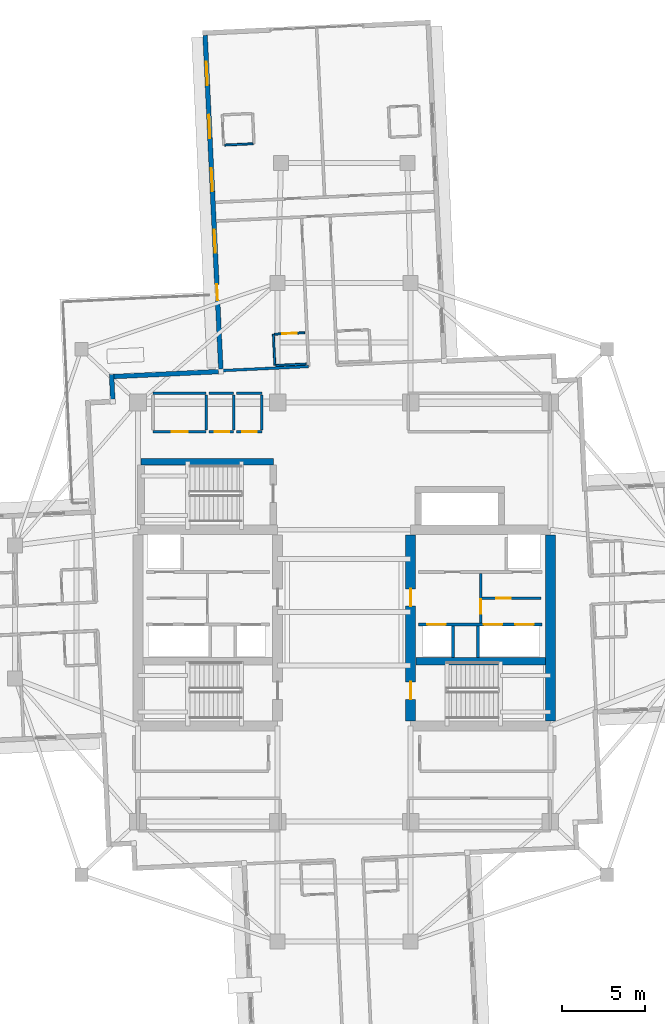
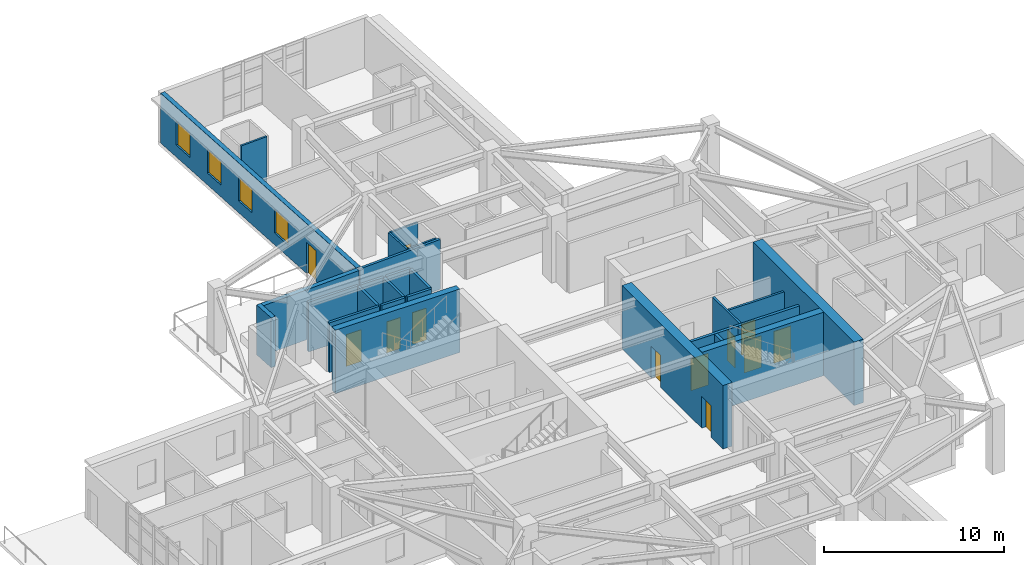
# One storey, part 14 of 22: 26 walls, 12 doors, 4 windows, 16 openings.
"""IFC4 building model written with IfcOpenShell, lengths in metres."""

from ifc_helpers import new_model, si_unit, direction, frame, frame_2d, origin, place, context, subcontext, project, spatial, rectangle, extrude, material, layer, layer_set, type_object, element, fill, save


model = new_model("IFC4")

# Units and contexts
model_context = context("Model", 3, precision=1e-05, world=origin(), true_north=direction((0.0, 1.0)))
body_context = subcontext(model_context, "Body", "Model", "MODEL_VIEW")
ifc_project = project(units=[si_unit("LENGTHUNIT", "METRE"), si_unit("AREAUNIT", "SQUARE_METRE"), si_unit("VOLUMEUNIT", "CUBIC_METRE"), si_unit("PLANEANGLEUNIT", "RADIAN"), si_unit("MASSUNIT", "GRAM", prefix="KILO")], contexts=[model_context])

# Site, building, storey
site_placement = place(None, origin())
site = spatial("IfcSite", under=ifc_project, at=site_placement, CompositionType="ELEMENT")
building_placement = place(site_placement, origin())
building = spatial("IfcBuilding", under=site, at=building_placement, Name="Qingluan Cross Belvedere", CompositionType="ELEMENT")
storey_placement = place(building_placement, frame((0.0, 0.0, 196.800048828125)))
storey = spatial("IfcBuildingStorey", under=building, at=storey_placement, Name="L49", CompositionType="ELEMENT", Elevation=196.800048828125)

# Walls
ifc_material_1 = material(Name="Concrete C50", Category="concrete")
ifc_layer_1 = layer(ifc_material_1, 0.449951171875, Name="CoreShearWall_450")
ifc_layer_set_1 = layer_set([ifc_layer_1], Name="Concrete C50")
wall_type_1 = type_object("IfcWallType", Name="CoreShearWall_450", PredefinedType="SHEAR", material=ifc_layer_set_1)
wall_1_placement = place(storey_placement, frame((4.304931640625, -2.9599609375, 0.0), z_axis=(0.0, 0.0, 1.0), x_axis=(1.0, 0.0, 0.0)))
element("IfcWall", 1, at=wall_1_placement, inside=storey, type_object=wall_type_1, Name="Split core E shear wall L49-M", PredefinedType="SHEAR", context=body_context, shape_type="SweptSolid", body=[
    extrude(rectangle(XDim=7.7900390625, YDim=0.449951171875, at=frame_2d((3.89501953125, 0.0))), origin(), (0.0, 0.0, 1.0), 4.300048828125),
])
wall_2_placement = place(storey_placement, frame((-12.219970703125, 9.0400390625, 0.0), z_axis=(0.0, 0.0, 1.0), x_axis=(1.0, 0.0, 0.0)))
element("IfcWall", 2, at=wall_2_placement, inside=storey, type_object=wall_type_1, Name="Stair ST3 structural wall N L49", PredefinedType="SHEAR", context=body_context, shape_type="SweptSolid", body=[
    extrude(rectangle(XDim=7.9599609375, YDim=0.39990234375, at=frame_2d((3.97998046875, 0.0))), origin(), (0.0, 0.0, 1.0), 4.300048828125),
])

# Wall, openings, doors
ifc_material_2 = material(Name="Concrete C60", Category="concrete")
ifc_layer_2 = layer(ifc_material_2, 0.60009765625, Name="CoreShearWall_600")
ifc_layer_set_2 = layer_set([ifc_layer_2], Name="Concrete C60")
wall_type_2 = type_object("IfcWallType", Name="CoreShearWall_600", PredefinedType="SHEAR", material=ifc_layer_set_2)
wall_3_placement = place(storey_placement, frame((4.0, -6.544921875, 0.0), z_axis=(0.0, 0.0, 1.0), x_axis=(0.0, 1.0, 0.0)))
wall_3 = element("IfcWall", 3, at=wall_3_placement, inside=storey, type_object=wall_type_2, Name="Split core E shear wall L49-W", PredefinedType="SHEAR", context=body_context, shape_type="SweptSolid", body=[
    extrude(rectangle(XDim=11.18994140625, YDim=0.60009765625, at=frame_2d((5.594970703125, 0.0))), origin(), (0.0, 0.0, 1.0), 4.300048828125),
])
opening_1_placement = place(wall_3_placement, frame((1.294921875, 0.0, 0.0)))
opening_1 = element("IfcOpeningElement", 4, at=opening_1_placement, cuts=wall_3, Name="Opening FD-B11", PredefinedType="OPENING", context=body_context, shape_type="SweptSolid", body=[
    extrude(rectangle(XDim=1.050048828125, YDim=2.14990234375, at=frame_2d((0.52490234375, 1.074951171875))), frame((0.0, 0.31005859375, 0.0), z_axis=(0.0, -1.0, 0.0), x_axis=(1.0, 0.0, 0.0)), (0.0, 0.0, 1.0), 0.6201171875),
])
opening_2_placement = place(wall_3_placement, frame((6.89501953125, 0.0, 0.0)))
opening_2 = element("IfcOpeningElement", 5, at=opening_2_placement, cuts=wall_3, Name="Opening FD-B11", PredefinedType="OPENING", context=body_context, shape_type="SweptSolid", body=[
    extrude(rectangle(XDim=1.050048828125, YDim=2.14990234375, at=frame_2d((0.52490234375, 1.074951171875))), frame((0.0, 0.31005859375, 0.0), z_axis=(0.0, -1.0, 0.0), x_axis=(1.0, 0.0, 0.0)), (0.0, 0.0, 1.0), 0.6201171875),
])
ifc_material_3 = material(Name="Steel Class B smoke-seal fire door", Category="steel")
door_type_1 = type_object("IfcDoorType", Name="StairLobbyFireDoor_FDB", OperationType="NOTDEFINED", PredefinedType="DOOR", material=ifc_material_3)
door_1_placement = place(opening_1_placement, origin())
door_1 = element("IfcDoor", 6, at=door_1_placement, inside=storey, type_object=door_type_1, Name="Smoke-proof stair ST2 fire door L49", OperationType="SINGLE_SWING_RIGHT", OverallHeight=2.14990234375, OverallWidth=1.050048828125, PredefinedType="DOOR", context=body_context, shape_type="SweptSolid", body=[
    extrude(rectangle(XDim=1.050048828125, YDim=2.14990234375, at=frame_2d((0.52490234375, 1.074951171875))), frame((0.0, 0.02490234375, 0.0), z_axis=(0.0, -1.0, 0.0), x_axis=(1.0, 0.0, 0.0)), (0.0, 0.0, 1.0), 0.050048828125),
])
fill(opening_1, door_1)
door_2_placement = place(opening_2_placement, origin())
door_2 = element("IfcDoor", 7, at=door_2_placement, inside=storey, type_object=door_type_1, Name="Firefighting lobby East fire door L49", OperationType="SINGLE_SWING_RIGHT", OverallHeight=2.14990234375, OverallWidth=1.050048828125, PredefinedType="DOOR", context=body_context, shape_type="SweptSolid", body=[
    extrude(rectangle(XDim=1.050048828125, YDim=2.14990234375, at=frame_2d((0.52490234375, 1.074951171875))), frame((0.0, 0.02490234375, 0.0), z_axis=(0.0, -1.0, 0.0), x_axis=(1.0, 0.0, 0.0)), (0.0, 0.0, 1.0), 0.050048828125),
])
fill(opening_2, door_2)

# Wall
wall_4_placement = place(storey_placement, frame((12.39990234375, -6.544921875, 0.0), z_axis=(0.0, 0.0, 1.0), x_axis=(0.0, 1.0, 0.0)))
element("IfcWall", 8, at=wall_4_placement, inside=storey, type_object=wall_type_2, Name="Split core E shear wall L49-E", PredefinedType="SHEAR", context=body_context, shape_type="SweptSolid", body=[
    extrude(rectangle(XDim=11.18994140625, YDim=0.60009765625, at=frame_2d((5.594970703125, 0.0))), origin(), (0.0, 0.0, 1.0), 4.300048828125),
])

# Wall, opening, door
ifc_material_4 = material(Name="Gypsum plasterboard on steel stud acoustic partition", Category="steel")
ifc_layer_3 = layer(ifc_material_4, 0.159912109375, Name="CorridorPartition_160")
ifc_layer_set_3 = layer_set([ifc_layer_3], Name="Gypsum plasterboard on steel stud acoustic partition")
wall_type_3 = type_object("IfcWallType", Name="CorridorPartition_160", PredefinedType="PARTITIONING", material=ifc_layer_set_3)
wall_5_placement = place(storey_placement, frame((8.298095703125, 0.830078125, 0.0), z_axis=(0.0, 0.0, 1.0), x_axis=(1.0, 0.0, 0.0)))
wall_5 = element("IfcWall", 9, at=wall_5_placement, inside=storey, type_object=wall_type_3, Name="Partition L49:e", PredefinedType="PARTITIONING", context=body_context, shape_type="SweptSolid", body=[
    extrude(rectangle(XDim=3.552001953125, YDim=0.139892578125, at=frame_2d((1.77587890625, 0.0))), origin(), (0.0, 0.0, 1.0), 3.369873046875),
])
opening_3_placement = place(wall_5_placement, frame((0.85009765625, 0.0, 0.0)))
opening_3 = element("IfcOpeningElement", 10, at=opening_3_placement, cuts=wall_5, Name="Opening FD-B10", PredefinedType="OPENING", context=body_context, shape_type="SweptSolid", body=[
    extrude(rectangle(XDim=0.8798828125, YDim=2.10009765625, at=frame_2d((0.43994140625, 1.050048828125))), frame((0.0, 0.079833984375, 0.0), z_axis=(0.0, -1.0, 0.0), x_axis=(1.0, 0.0, 0.0)), (0.0, 0.0, 1.0), 0.159912109375),
])
ifc_material_5 = material(Name="Steel Class B service fire door", Category="steel")
door_type_2 = type_object("IfcDoorType", Name="RiserServiceFireDoor_FDB", OperationType="NOTDEFINED", PredefinedType="DOOR", material=ifc_material_5)
door_3_placement = place(opening_3_placement, origin())
door_3 = element("IfcDoor", 11, at=door_3_placement, inside=storey, type_object=door_type_2, Name="Service closet inner door L49", OperationType="SINGLE_SWING_LEFT", OverallHeight=2.10009765625, OverallWidth=0.8798828125, PredefinedType="DOOR", context=body_context, shape_type="SweptSolid", body=[
    extrude(rectangle(XDim=0.8798828125, YDim=2.10009765625, at=frame_2d((0.43994140625, 1.050048828125))), frame((0.0, 0.02490234375, 0.0), z_axis=(0.0, -1.0, 0.0), x_axis=(1.0, 0.0, 0.0)), (0.0, 0.0, 1.0), 0.050048828125),
])
fill(opening_3, door_3)

wall_6_placement = place(storey_placement, frame((-11.5, 10.85009765625, 0.0), z_axis=(0.0, 0.0, 1.0), x_axis=(1.0, 0.0, 0.0)))
wall_6 = element("IfcWall", 12, at=wall_6_placement, inside=storey, type_object=wall_type_3, Name="Partition L49:q_nw_occ:S", PredefinedType="PARTITIONING", context=body_context, shape_type="SweptSolid", body=[
    extrude(rectangle(XDim=3.199951171875, YDim=0.159912109375, at=frame_2d((1.60009765625, 0.0))), origin(), (0.0, 0.0, 1.0), 3.369873046875),
])
opening_4_placement = place(wall_6_placement, frame((1.1201171875, 0.0, 0.0)))
opening_4 = element("IfcOpeningElement", 13, at=opening_4_placement, cuts=wall_6, Name="Opening GD-10", PredefinedType="OPENING", context=body_context, shape_type="SweptSolid", body=[
    extrude(rectangle(XDim=0.9599609375, YDim=2.14990234375, at=frame_2d((0.47998046875, 1.074951171875))), frame((0.0, 0.08984375, 0.0), z_axis=(0.0, -1.0, 0.0), x_axis=(1.0, 0.0, 0.0)), (0.0, 0.0, 1.0), 0.179931640625),
])
ifc_material_6 = material(Name="Timber oak fire-rated acoustic guestroom door", Category="wood")
door_type_3 = type_object("IfcDoorType", Name="GuestEntryDoor_FD60", OperationType="NOTDEFINED", PredefinedType="DOOR", material=ifc_material_6)
door_4_placement = place(opening_4_placement, origin())
door_4 = element("IfcDoor", 14, at=door_4_placement, inside=storey, type_object=door_type_3, Name="Northwest corner reading salon L49 door", OperationType="SINGLE_SWING_RIGHT", OverallHeight=2.14990234375, OverallWidth=0.9599609375, PredefinedType="DOOR", context=body_context, shape_type="SweptSolid", body=[
    extrude(rectangle(XDim=0.9599609375, YDim=2.14990234375, at=frame_2d((0.47998046875, 1.074951171875))), frame((0.0, 0.02490234375, 0.0), z_axis=(0.0, -1.0, 0.0), x_axis=(1.0, 0.0, 0.0)), (0.0, 0.0, 1.0), 0.050048828125),
])
fill(opening_4, door_4)

# Walls
wall_7_placement = place(storey_placement, frame((-11.5, 13.14990234375, 0.0), z_axis=(0.0, 0.0, 1.0), x_axis=(1.0, 0.0, 0.0)))
element("IfcWall", 15, at=wall_7_placement, inside=storey, type_object=wall_type_3, Name="Partition L49:q_nw_occ:N", PredefinedType="PARTITIONING", context=body_context, shape_type="SweptSolid", body=[
    extrude(rectangle(XDim=3.199951171875, YDim=0.159912109375, at=frame_2d((1.60009765625, 0.0))), origin(), (0.0, 0.0, 1.0), 3.369873046875),
])
wall_8_placement = place(storey_placement, frame((-8.300048828125, 10.93505859375, 0.0), z_axis=(0.0, 0.0, 1.0), x_axis=(0.0, 1.0, 0.0)))
element("IfcWall", 16, at=wall_8_placement, inside=storey, type_object=wall_type_3, Name="Partition L49:q_nw_occ:E", PredefinedType="PARTITIONING", context=body_context, shape_type="SweptSolid", body=[
    extrude(rectangle(XDim=2.1298828125, YDim=0.159912109375, at=frame_2d((1.06494140625, 0.0))), origin(), (0.0, 0.0, 1.0), 3.369873046875),
])

# Wall, opening, door
wall_9_placement = place(storey_placement, frame((-8.139892578125, 10.85009765625, 0.0), z_axis=(0.0, 0.0, 1.0), x_axis=(1.0, 0.0, 0.0)))
wall_9 = element("IfcWall", 17, at=wall_9_placement, inside=storey, type_object=wall_type_3, Name="Partition L49:hk_linen:S", PredefinedType="PARTITIONING", context=body_context, shape_type="SweptSolid", body=[
    extrude(rectangle(XDim=1.489990234375, YDim=0.159912109375, at=frame_2d((0.7451171875, 0.0))), origin(), (0.0, 0.0, 1.0), 3.369873046875),
])
opening_5_placement = place(wall_9_placement, frame((0.35009765625, 0.0, 0.0)))
opening_5 = element("IfcOpeningElement", 18, at=opening_5_placement, cuts=wall_9, Name="Opening FD-B10", PredefinedType="OPENING", context=body_context, shape_type="SweptSolid", body=[
    extrude(rectangle(XDim=0.8798828125, YDim=2.10009765625, at=frame_2d((0.43994140625, 1.050048828125))), frame((0.0, 0.08984375, 0.0), z_axis=(0.0, -1.0, 0.0), x_axis=(1.0, 0.0, 0.0)), (0.0, 0.0, 1.0), 0.179931640625),
])
door_5_placement = place(opening_5_placement, origin())
door_5 = element("IfcDoor", 19, at=door_5_placement, inside=storey, type_object=door_type_2, Name="Housekeeping and linen store L49 door", OperationType="SINGLE_SWING_LEFT", OverallHeight=2.10009765625, OverallWidth=0.8798828125, PredefinedType="DOOR", context=body_context, shape_type="SweptSolid", body=[
    extrude(rectangle(XDim=0.8798828125, YDim=2.10009765625, at=frame_2d((0.43994140625, 1.050048828125))), frame((0.0, 0.02490234375, 0.0), z_axis=(0.0, -1.0, 0.0), x_axis=(1.0, 0.0, 0.0)), (0.0, 0.0, 1.0), 0.050048828125),
])
fill(opening_5, door_5)

# Walls
wall_10_placement = place(storey_placement, frame((-8.139892578125, 13.14990234375, 0.0), z_axis=(0.0, 0.0, 1.0), x_axis=(1.0, 0.0, 0.0)))
element("IfcWall", 20, at=wall_10_placement, inside=storey, type_object=wall_type_3, Name="Partition L49:hk_linen:N", PredefinedType="PARTITIONING", context=body_context, shape_type="SweptSolid", body=[
    extrude(rectangle(XDim=1.489990234375, YDim=0.159912109375, at=frame_2d((0.7451171875, 0.0))), origin(), (0.0, 0.0, 1.0), 3.369873046875),
])
wall_11_placement = place(storey_placement, frame((-6.64990234375, 10.93505859375, 0.0), z_axis=(0.0, 0.0, 1.0), x_axis=(0.0, 1.0, 0.0)))
element("IfcWall", 21, at=wall_11_placement, inside=storey, type_object=wall_type_3, Name="Partition L49:hk_linen:E", PredefinedType="PARTITIONING", context=body_context, shape_type="SweptSolid", body=[
    extrude(rectangle(XDim=2.1298828125, YDim=0.159912109375, at=frame_2d((1.06494140625, 0.0))), origin(), (0.0, 0.0, 1.0), 3.369873046875),
])

# Wall, opening, door
wall_12_placement = place(storey_placement, frame((-6.489990234375, 10.85009765625, 0.0), z_axis=(0.0, 0.0, 1.0), x_axis=(1.0, 0.0, 0.0)))
wall_12 = element("IfcWall", 22, at=wall_12_placement, inside=storey, type_object=wall_type_3, Name="Partition L49:floor_acc_wc:S", PredefinedType="PARTITIONING", context=body_context, shape_type="SweptSolid", body=[
    extrude(rectangle(XDim=1.5400390625, YDim=0.159912109375, at=frame_2d((0.77001953125, 0.0))), origin(), (0.0, 0.0, 1.0), 3.369873046875),
])
opening_6_placement = place(wall_12_placement, frame((0.35009765625, 0.0, 0.0)))
opening_6 = element("IfcOpeningElement", 23, at=opening_6_placement, cuts=wall_12, Name="Opening BD-08", PredefinedType="OPENING", context=body_context, shape_type="SweptSolid", body=[
    extrude(rectangle(XDim=0.8798828125, YDim=2.14990234375, at=frame_2d((0.43994140625, 1.074951171875))), frame((0.0, 0.08984375, 0.0), z_axis=(0.0, -1.0, 0.0), x_axis=(1.0, 0.0, 0.0)), (0.0, 0.0, 1.0), 0.179931640625),
])
ifc_material_7 = material(Name="Moisture-sealed timber accessible WC door", Category="wood")
door_type_4 = type_object("IfcDoorType", Name="AccessibleWCDoor_880", OperationType="NOTDEFINED", PredefinedType="DOOR", material=ifc_material_7)
door_6_placement = place(opening_6_placement, origin())
door_6 = element("IfcDoor", 24, at=door_6_placement, inside=storey, type_object=door_type_4, Name="Accessible guest washroom L49 door", OperationType="SINGLE_SWING_RIGHT", OverallHeight=2.14990234375, OverallWidth=0.8798828125, PredefinedType="DOOR", context=body_context, shape_type="SweptSolid", body=[
    extrude(rectangle(XDim=0.8798828125, YDim=2.14990234375, at=frame_2d((0.43994140625, 1.074951171875))), frame((0.0, 0.02490234375, 0.0), z_axis=(0.0, -1.0, 0.0), x_axis=(1.0, 0.0, 0.0)), (0.0, 0.0, 1.0), 0.050048828125),
])
fill(opening_6, door_6)

# Walls
wall_13_placement = place(storey_placement, frame((-6.489990234375, 13.14990234375, 0.0), z_axis=(0.0, 0.0, 1.0), x_axis=(1.0, 0.0, 0.0)))
element("IfcWall", 25, at=wall_13_placement, inside=storey, type_object=wall_type_3, Name="Partition L49:floor_acc_wc:N", PredefinedType="PARTITIONING", context=body_context, shape_type="SweptSolid", body=[
    extrude(rectangle(XDim=1.5400390625, YDim=0.159912109375, at=frame_2d((0.77001953125, 0.0))), origin(), (0.0, 0.0, 1.0), 3.369873046875),
])
wall_14_placement = place(storey_placement, frame((-4.949951171875, 10.93505859375, 0.0), z_axis=(0.0, 0.0, 1.0), x_axis=(0.0, 1.0, 0.0)))
element("IfcWall", 26, at=wall_14_placement, inside=storey, type_object=wall_type_3, Name="Partition L49:floor_acc_wc:E", PredefinedType="PARTITIONING", context=body_context, shape_type="SweptSolid", body=[
    extrude(rectangle(XDim=2.1298828125, YDim=0.159912109375, at=frame_2d((1.06494140625, 0.0))), origin(), (0.0, 0.0, 1.0), 3.369873046875),
])
wall_15_placement = place(storey_placement, frame((-2.137939453125, 14.765625, 0.0), z_axis=(0.0, 0.0, 1.0), x_axis=(-0.998891553151, -0.047070851322, 0.0)))
element("IfcWall", 27, at=wall_15_placement, inside=storey, type_object=wall_type_3, Name="Partition L49:N:s1", PredefinedType="PARTITIONING", context=body_context, shape_type="SweptSolid", body=[
    extrude(rectangle(XDim=5.280029296875, YDim=0.159912109375, at=frame_2d((2.64013671875, 0.0))), origin(), (0.0, 0.0, 1.0), 3.369873046875),
])

# Wall, opening, door
ifc_material_8 = material(Name="Moisture-resistant gypsum board lining")
ifc_layer_4 = layer(ifc_material_8, 0.1201171875, Name="EnsuiteWetPartition_120")
ifc_layer_set_4 = layer_set([ifc_layer_4], Name="Moisture-resistant gypsum board lining")
wall_type_4 = type_object("IfcWallType", Name="EnsuiteWetPartition_120", PredefinedType="PARTITIONING", material=ifc_layer_set_4)
wall_16_placement = place(storey_placement, frame((-4.19189453125, 16.711181640625, 0.0), z_axis=(0.0, 0.0, 1.0), x_axis=(0.998891083954, 0.047080807099, 0.0)))
wall_16 = element("IfcWall", 28, at=wall_16_placement, inside=storey, type_object=wall_type_4, Name="Partition L49:N:bs1_0", PredefinedType="PARTITIONING", context=body_context, shape_type="SweptSolid", body=[
    extrude(rectangle(XDim=1.820068359375, YDim=0.1201171875, at=frame_2d((0.91015625, 0.0))), origin(), (0.0, 0.0, 1.0), 3.369873046875),
])
opening_7_placement = place(wall_16_placement, frame((0.469970703125, 0.0, 0.0)))
opening_7 = element("IfcOpeningElement", 29, at=opening_7_placement, cuts=wall_16, Name="Opening BD-09", PredefinedType="OPENING", context=body_context, shape_type="SweptSolid", body=[
    extrude(rectangle(XDim=0.8798828125, YDim=2.10009765625, at=frame_2d((0.43994140625, 1.050048828125))), frame((0.0, 0.070068359375, 0.0), z_axis=(0.0, -1.0, 0.0), x_axis=(1.0, 0.0, 0.0)), (0.0, 0.0, 1.0), 0.14013671875),
])
ifc_material_9 = material(Name="Moisture-sealed timber en-suite door", Category="wood")
door_type_5 = type_object("IfcDoorType", Name="BathroomDoor_880", OperationType="NOTDEFINED", PredefinedType="DOOR", material=ifc_material_9)
door_7_placement = place(opening_7_placement, origin())
door_7 = element("IfcDoor", 30, at=door_7_placement, inside=storey, type_object=door_type_5, Name="Bathroom door 4914", OperationType="SINGLE_SWING_LEFT", OverallHeight=2.10009765625, OverallWidth=0.8798828125, PredefinedType="DOOR", context=body_context, shape_type="SweptSolid", body=[
    extrude(rectangle(XDim=0.8798828125, YDim=2.10009765625, at=frame_2d((0.43994140625, 1.050048828125))), frame((0.0, 0.02490234375, 0.0), z_axis=(0.0, -1.0, 0.0), x_axis=(1.0, 0.0, 0.0)), (0.0, 0.0, 1.0), 0.050048828125),
])
fill(opening_7, door_7)

# Walls
wall_17_placement = place(storey_placement, frame((-4.103271484375, 14.833251953125, 0.0), z_axis=(0.0, 0.0, 1.0), x_axis=(0.998890786574, 0.047087116047, 0.0)))
element("IfcWall", 31, at=wall_17_placement, inside=storey, type_object=wall_type_4, Name="Partition L49:N:bw1_0", PredefinedType="PARTITIONING", context=body_context, shape_type="SweptSolid", body=[
    extrude(rectangle(XDim=1.81982421875, YDim=0.1201171875, at=frame_2d((0.909912109375, 0.0))), origin(), (0.0, 0.0, 1.0), 3.369873046875),
])
wall_18_placement = place(storey_placement, frame((-4.168212890625, 14.830078125, 0.0), z_axis=(0.0, 0.0, 1.0), x_axis=(-0.047139425368, 0.998888319371, 0.0)))
element("IfcWall", 32, at=wall_18_placement, inside=storey, type_object=wall_type_4, Name="Partition L49:N:bc1_0", PredefinedType="PARTITIONING", context=body_context, shape_type="SweptSolid", body=[
    extrude(rectangle(XDim=1.880126953125, YDim=0.1201171875, at=frame_2d((0.93994140625, 0.0))), origin(), (0.0, 0.0, 1.0), 3.369873046875),
])
wall_19_placement = place(storey_placement, frame((-7.180908203125, 28.0830078125, 0.0), z_axis=(0.0, 0.0, 1.0), x_axis=(0.998890122477, 0.047101201865, 0.0)))
element("IfcWall", 33, at=wall_19_placement, inside=storey, type_object=wall_type_4, Name="Partition L49:Ncap:b1a", PredefinedType="PARTITIONING", context=body_context, shape_type="SweptSolid", body=[
    extrude(rectangle(XDim=1.7001953125, YDim=0.1201171875, at=frame_2d((0.85009765625, 0.0))), origin(), (0.0, 0.0, 1.0), 3.369873046875),
])

# Wall, openings, windows, door
ifc_material_10 = material(Name="Precast concrete C45", Category="concrete")
ifc_layer_5 = layer(ifc_material_10, 0.280029296875, Name="PrecastFacadeWall_280")
ifc_layer_set_5 = layer_set([ifc_layer_5], Name="Precast concrete C45")
wall_type_5 = type_object("IfcWallType", Name="PrecastFacadeWall_280", PredefinedType="STANDARD", material=ifc_layer_set_5)
wall_20_placement = place(storey_placement, frame((-8.363037109375, 34.6845703125, 0.0), z_axis=(0.0, 0.0, 1.0), x_axis=(0.047103473814, -0.998890015344, 0.0)))
wall_20 = element("IfcWall", 34, at=wall_20_placement, inside=storey, type_object=wall_type_5, Name="Facade wall L49-NB", PredefinedType="STANDARD", context=body_context, shape_type="SweptSolid", body=[
    extrude(rectangle(XDim=20.099853515625, YDim=0.280029296875, at=frame_2d((10.0498046875, 0.0))), origin(), (0.0, 0.0, 1.0), 3.3798828125),
])
opening_8_placement = place(wall_20_placement, frame((1.60009765625, 0.0, 0.800048828125)))
opening_8 = element("IfcOpeningElement", 35, at=opening_8_placement, cuts=wall_20, Name="Opening W-01", PredefinedType="OPENING", context=body_context, shape_type="SweptSolid", body=[
    extrude(rectangle(XDim=1.39990234375, YDim=1.60009765625, at=frame_2d((0.699951171875, 0.800048828125))), frame((0.0, 0.14990234375, 0.0), z_axis=(0.0, -1.0, 0.0), x_axis=(1.0, 0.0, 0.0)), (0.0, 0.0, 1.0), 0.300048828125),
])
opening_9_placement = place(wall_20_placement, frame((4.800048828125, 0.0, 0.800048828125)))
opening_9 = element("IfcOpeningElement", 36, at=opening_9_placement, cuts=wall_20, Name="Opening W-01", PredefinedType="OPENING", context=body_context, shape_type="SweptSolid", body=[
    extrude(rectangle(XDim=1.39990234375, YDim=1.60009765625, at=frame_2d((0.699951171875, 0.800048828125))), frame((0.0, 0.14990234375, 0.0), z_axis=(0.0, -1.0, 0.0), x_axis=(1.0, 0.0, 0.0)), (0.0, 0.0, 1.0), 0.300048828125),
])
opening_10_placement = place(wall_20_placement, frame((8.0, 0.0, 0.800048828125)))
opening_10 = element("IfcOpeningElement", 37, at=opening_10_placement, cuts=wall_20, Name="Opening W-01", PredefinedType="OPENING", context=body_context, shape_type="SweptSolid", body=[
    extrude(rectangle(XDim=1.39990234375, YDim=1.60009765625, at=frame_2d((0.699951171875, 0.800048828125))), frame((0.0, 0.14990234375, 0.0), z_axis=(0.0, -1.0, 0.0), x_axis=(1.0, 0.0, 0.0)), (0.0, 0.0, 1.0), 0.300048828125),
])
opening_11_placement = place(wall_20_placement, frame((11.699951171875, 0.0, 0.800048828125)))
opening_11 = element("IfcOpeningElement", 38, at=opening_11_placement, cuts=wall_20, Name="Opening W-01", PredefinedType="OPENING", context=body_context, shape_type="SweptSolid", body=[
    extrude(rectangle(XDim=1.39990234375, YDim=1.60009765625, at=frame_2d((0.699951171875, 0.800048828125))), frame((0.0, 0.14990234375, 0.0), z_axis=(0.0, -1.0, 0.0), x_axis=(1.0, 0.0, 0.0)), (0.0, 0.0, 1.0), 0.300048828125),
])
opening_12_placement = place(wall_20_placement, frame((15.0, 0.0, 0.0)))
opening_12 = element("IfcOpeningElement", 39, at=opening_12_placement, cuts=wall_20, Name="Opening WD-10", PredefinedType="OPENING", context=body_context, shape_type="SweptSolid", body=[
    extrude(rectangle(XDim=0.9599609375, YDim=2.10009765625, at=frame_2d((0.47998046875, 1.050048828125))), frame((0.0, 0.14990234375, 0.0), z_axis=(0.0, -1.0, 0.0), x_axis=(1.0, 0.0, 0.0)), (0.0, 0.0, 1.0), 0.300048828125),
])
ifc_material_11 = material(Name="Thermally broken triple Low-E glass in aluminium frame", Category="aluminium")
window_type = type_object("IfcWindowType", Name="TriRibbonWin_1400x1600", PartitioningType="SINGLE_PANEL", PredefinedType="WINDOW", material=ifc_material_11)
window_1_placement = place(opening_8_placement, origin())
window_1 = element("IfcWindow", 40, at=window_1_placement, inside=storey, type_object=window_type, Name="Ribbon window L49-NB-1", OverallHeight=1.60009765625, OverallWidth=1.39990234375, PartitioningType="SINGLE_PANEL", PredefinedType="WINDOW", context=body_context, shape_type="SweptSolid", body=[
    extrude(rectangle(XDim=1.39990234375, YDim=1.60009765625, at=frame_2d((0.699951171875, 0.800048828125))), frame((0.0, 0.030029296875, 0.0), z_axis=(0.0, -1.0, 0.0), x_axis=(1.0, 0.0, 0.0)), (0.0, 0.0, 1.0), 0.06005859375),
])
fill(opening_8, window_1)
window_2_placement = place(opening_9_placement, origin())
window_2 = element("IfcWindow", 41, at=window_2_placement, inside=storey, type_object=window_type, Name="Ribbon window L49-NB-2", OverallHeight=1.60009765625, OverallWidth=1.39990234375, PartitioningType="SINGLE_PANEL", PredefinedType="WINDOW", context=body_context, shape_type="SweptSolid", body=[
    extrude(rectangle(XDim=1.39990234375, YDim=1.60009765625, at=frame_2d((0.699951171875, 0.800048828125))), frame((0.0, 0.030029296875, 0.0), z_axis=(0.0, -1.0, 0.0), x_axis=(1.0, 0.0, 0.0)), (0.0, 0.0, 1.0), 0.06005859375),
])
fill(opening_9, window_2)
window_3_placement = place(opening_10_placement, origin())
window_3 = element("IfcWindow", 42, at=window_3_placement, inside=storey, type_object=window_type, Name="Ribbon window L49-NB-3", OverallHeight=1.60009765625, OverallWidth=1.39990234375, PartitioningType="SINGLE_PANEL", PredefinedType="WINDOW", context=body_context, shape_type="SweptSolid", body=[
    extrude(rectangle(XDim=1.39990234375, YDim=1.60009765625, at=frame_2d((0.699951171875, 0.800048828125))), frame((0.0, 0.030029296875, 0.0), z_axis=(0.0, -1.0, 0.0), x_axis=(1.0, 0.0, 0.0)), (0.0, 0.0, 1.0), 0.06005859375),
])
fill(opening_10, window_3)
window_4_placement = place(opening_11_placement, origin())
window_4 = element("IfcWindow", 43, at=window_4_placement, inside=storey, type_object=window_type, Name="Ribbon window L49-NB-4", OverallHeight=1.60009765625, OverallWidth=1.39990234375, PartitioningType="SINGLE_PANEL", PredefinedType="WINDOW", context=body_context, shape_type="SweptSolid", body=[
    extrude(rectangle(XDim=1.39990234375, YDim=1.60009765625, at=frame_2d((0.699951171875, 0.800048828125))), frame((0.0, 0.030029296875, 0.0), z_axis=(0.0, -1.0, 0.0), x_axis=(1.0, 0.0, 0.0)), (0.0, 0.0, 1.0), 0.06005859375),
])
fill(opening_11, window_4)
ifc_material_12 = material(Name="Thermally broken aluminium and Low-E glass", Category="aluminium")
door_type_6 = type_object("IfcDoorType", Name="WinterGardenDoor_096", OperationType="NOTDEFINED", PredefinedType="DOOR", material=ifc_material_12)
door_8_placement = place(opening_12_placement, origin())
door_8 = element("IfcDoor", 44, at=door_8_placement, inside=storey, type_object=door_type_6, Name="Outdoor terrace access door L49-spi", OperationType="SINGLE_SWING_LEFT", OverallHeight=2.10009765625, OverallWidth=0.9599609375, PredefinedType="DOOR", context=body_context, shape_type="SweptSolid", body=[
    extrude(rectangle(XDim=0.9599609375, YDim=2.10009765625, at=frame_2d((0.47998046875, 1.050048828125))), frame((0.0, 0.02490234375, 0.0), z_axis=(0.0, -1.0, 0.0), x_axis=(1.0, 0.0, 0.0)), (0.0, 0.0, 1.0), 0.050048828125),
])
fill(opening_12, door_8)

# Walls
wall_21_placement = place(storey_placement, frame((-13.918212890625, 12.798583984375, 0.0), z_axis=(0.0, 0.0, 1.0), x_axis=(-0.047201688113, 0.99888537913, 0.0)))
element("IfcWall", 45, at=wall_21_placement, inside=storey, type_object=wall_type_5, Name="Corner wall L49-NW3", PredefinedType="STANDARD", context=body_context, shape_type="SweptSolid", body=[
    extrude(rectangle(XDim=1.5, YDim=0.280029296875, at=frame_2d((0.75, 0.0))), origin(), (0.0, 0.0, 1.0), 3.3798828125),
])
wall_22_placement = place(storey_placement, frame((-13.842529296875, 14.16357421875, 0.0), z_axis=(0.0, 0.0, 1.0), x_axis=(0.998889082162, 0.047123258997, 0.0)))
element("IfcWall", 46, at=wall_22_placement, inside=storey, type_object=wall_type_5, Name="Corner wall L49-NW4", PredefinedType="STANDARD", context=body_context, shape_type="SweptSolid", body=[
    extrude(rectangle(XDim=6.300048828125, YDim=0.280029296875, at=frame_2d((3.14990234375, 0.0))), origin(), (0.0, 0.0, 1.0), 3.3798828125),
])

# Wall, openings, doors
ifc_material_13 = material(Name="Concrete C40", Category="concrete")
ifc_layer_6 = layer(ifc_material_13, 0.219970703125, Name="ShaftEnclosureWall_250")
ifc_layer_set_6 = layer_set([ifc_layer_6], Name="Concrete C40")
wall_type_6 = type_object("IfcWallType", Name="ShaftEnclosureWall_250", PredefinedType="SOLIDWALL", material=ifc_layer_set_6)
wall_23_placement = place(storey_placement, frame((4.47998046875, -0.75, 0.0), z_axis=(0.0, 0.0, 1.0), x_axis=(1.0, 0.0, 0.0)))
wall_23 = element("IfcWall", 47, at=wall_23_placement, inside=storey, type_object=wall_type_6, Name="Core-E mid hoistway wall L49", PredefinedType="SOLIDWALL", context=body_context, shape_type="SweptSolid", body=[
    extrude(rectangle(XDim=7.419921875, YDim=0.179931640625, at=frame_2d((3.7099609375, 0.0))), origin(), (0.0, 0.0, 1.0), 3.369873046875),
])
opening_13_placement = place(wall_23_placement, frame((0.52001953125, 0.0, 0.0)))
opening_13 = element("IfcOpeningElement", 48, at=opening_13_placement, cuts=wall_23, Name="Opening LD-11", PredefinedType="OPENING", context=body_context, shape_type="SweptSolid", body=[
    extrude(rectangle(XDim=1.10009765625, YDim=2.14990234375, at=frame_2d((0.550048828125, 1.074951171875))), frame((0.0, 0.099853515625, 0.0), z_axis=(0.0, -1.0, 0.0), x_axis=(1.0, 0.0, 0.0)), (0.0, 0.0, 1.0), 0.199951171875),
])
opening_14_placement = place(wall_23_placement, frame((3.919921875, 0.0, 0.0)))
opening_14 = element("IfcOpeningElement", 49, at=opening_14_placement, cuts=wall_23, Name="Opening LD-11", PredefinedType="OPENING", context=body_context, shape_type="SweptSolid", body=[
    extrude(rectangle(XDim=1.10009765625, YDim=2.14990234375, at=frame_2d((0.550048828125, 1.074951171875))), frame((0.0, 0.099853515625, 0.0), z_axis=(0.0, -1.0, 0.0), x_axis=(1.0, 0.0, 0.0)), (0.0, 0.0, 1.0), 0.199951171875),
])
opening_15_placement = place(wall_23_placement, frame((5.820068359375, 0.0, 0.0)))
opening_15 = element("IfcOpeningElement", 50, at=opening_15_placement, cuts=wall_23, Name="Opening LD-11", PredefinedType="OPENING", context=body_context, shape_type="SweptSolid", body=[
    extrude(rectangle(XDim=1.10009765625, YDim=2.14990234375, at=frame_2d((0.550048828125, 1.074951171875))), frame((0.0, 0.099853515625, 0.0), z_axis=(0.0, -1.0, 0.0), x_axis=(1.0, 0.0, 0.0)), (0.0, 0.0, 1.0), 0.199951171875),
])
ifc_material_14 = material(Name="Brushed stainless steel centre-opening lift landing door", Category="steel")
door_type_7 = type_object("IfcDoorType", Name="LiftLandingSlidingDoor_1100", OperationType="DOUBLE_DOOR_SLIDING", PredefinedType="DOOR", material=ifc_material_14)
door_9_placement = place(opening_13_placement, origin())
door_9 = element("IfcDoor", 51, at=door_9_placement, inside=storey, type_object=door_type_7, Name="Lift landing sliding door LP7 L49", OperationType="DOUBLE_DOOR_SLIDING", OverallHeight=2.14990234375, OverallWidth=1.10009765625, PredefinedType="DOOR", context=body_context, shape_type="SweptSolid", body=[
    extrude(rectangle(XDim=1.10009765625, YDim=2.14990234375, at=frame_2d((0.550048828125, 1.074951171875))), frame((0.0, 0.02490234375, 0.0), z_axis=(0.0, -1.0, 0.0), x_axis=(1.0, 0.0, 0.0)), (0.0, 0.0, 1.0), 0.050048828125),
])
fill(opening_13, door_9)
door_10_placement = place(opening_14_placement, origin())
door_10 = element("IfcDoor", 52, at=door_10_placement, inside=storey, type_object=door_type_7, Name="Lift landing sliding door LP9 L49", OperationType="DOUBLE_DOOR_SLIDING", OverallHeight=2.14990234375, OverallWidth=1.10009765625, PredefinedType="DOOR", context=body_context, shape_type="SweptSolid", body=[
    extrude(rectangle(XDim=1.10009765625, YDim=2.14990234375, at=frame_2d((0.550048828125, 1.074951171875))), frame((0.0, 0.02490234375, 0.0), z_axis=(0.0, -1.0, 0.0), x_axis=(1.0, 0.0, 0.0)), (0.0, 0.0, 1.0), 0.050048828125),
])
fill(opening_14, door_10)
door_11_placement = place(opening_15_placement, origin())
door_11 = element("IfcDoor", 53, at=door_11_placement, inside=storey, type_object=door_type_7, Name="Lift landing sliding door LP10 L49", OperationType="DOUBLE_DOOR_SLIDING", OverallHeight=2.14990234375, OverallWidth=1.10009765625, PredefinedType="DOOR", context=body_context, shape_type="SweptSolid", body=[
    extrude(rectangle(XDim=1.10009765625, YDim=2.14990234375, at=frame_2d((0.550048828125, 1.074951171875))), frame((0.0, 0.02490234375, 0.0), z_axis=(0.0, -1.0, 0.0), x_axis=(1.0, 0.0, 0.0)), (0.0, 0.0, 1.0), 0.050048828125),
])
fill(opening_15, door_11)

# Walls
for number, where, z_axis, x_axis, name in (
    (54, (6.5400390625, -2.72998046875, 0.0), (0.0, 0.0, 1.0), (0.0, 1.0, 0.0), "Hoistway enclosure divider LP7E L49"),
    (55, (8.06005859375, -2.72998046875, 0.0), (0.0, 0.0, 1.0), (0.0, 1.0, 0.0), "Hoistway enclosure divider LP9W L49"),
):
    element("IfcWall", number, at=place(storey_placement, frame(where, z_axis=z_axis, x_axis=x_axis)), inside=storey, type_object=wall_type_6, Name=name, PredefinedType="SOLIDWALL", context=body_context, shape_type="SweptSolid", body=[
        extrude(rectangle(XDim=1.889892578125, YDim=0.179931640625, at=frame_2d((0.94482421875, 0.0))), origin(), (0.0, 0.0, 1.0), 3.369873046875),
    ])

# Wall, opening, door
wall_24_placement = place(storey_placement, frame((8.219970703125, -0.64990234375, 0.0), z_axis=(0.0, 0.0, 1.0), x_axis=(0.0, 1.0, 0.0)))
wall_24 = element("IfcWall", 56, at=wall_24_placement, inside=storey, type_object=wall_type_6, Name="Core-E service corridor wall L49", PredefinedType="SOLIDWALL", context=body_context, shape_type="SweptSolid", body=[
    extrude(rectangle(XDim=2.9599609375, YDim=0.139892578125, at=frame_2d((1.47998046875, 0.0))), origin(), (0.0, 0.0, 1.0), 3.369873046875),
])
opening_16_placement = place(wall_24_placement, frame((0.550048828125, 0.0, 0.0)))
opening_16 = element("IfcOpeningElement", 57, at=opening_16_placement, cuts=wall_24, Name="Opening FD-B10", PredefinedType="OPENING", context=body_context, shape_type="SweptSolid", body=[
    extrude(rectangle(XDim=0.8798828125, YDim=2.10009765625, at=frame_2d((0.43994140625, 1.050048828125))), frame((0.0, 0.079833984375, 0.0), z_axis=(0.0, -1.0, 0.0), x_axis=(1.0, 0.0, 0.0)), (0.0, 0.0, 1.0), 0.159912109375),
])
door_12_placement = place(opening_16_placement, origin())
door_12 = element("IfcDoor", 58, at=door_12_placement, inside=storey, type_object=door_type_2, Name="Core-E service room door L49", OperationType="SINGLE_SWING_LEFT", OverallHeight=2.10009765625, OverallWidth=0.8798828125, PredefinedType="DOOR", context=body_context, shape_type="SweptSolid", body=[
    extrude(rectangle(XDim=0.8798828125, YDim=2.10009765625, at=frame_2d((0.43994140625, 1.050048828125))), frame((0.0, 0.02490234375, 0.0), z_axis=(0.0, -1.0, 0.0), x_axis=(1.0, 0.0, 0.0)), (0.0, 0.0, 1.0), 0.050048828125),
])
fill(opening_16, door_12)

save(model, "model.ifc")
